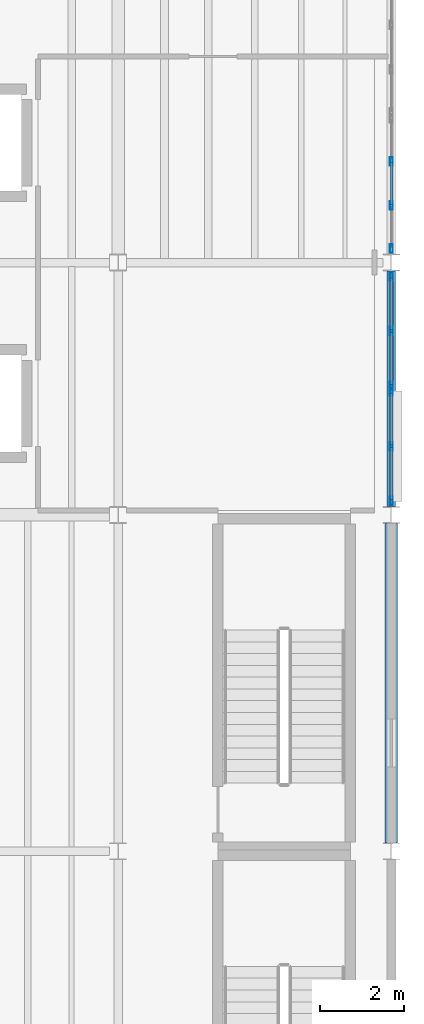
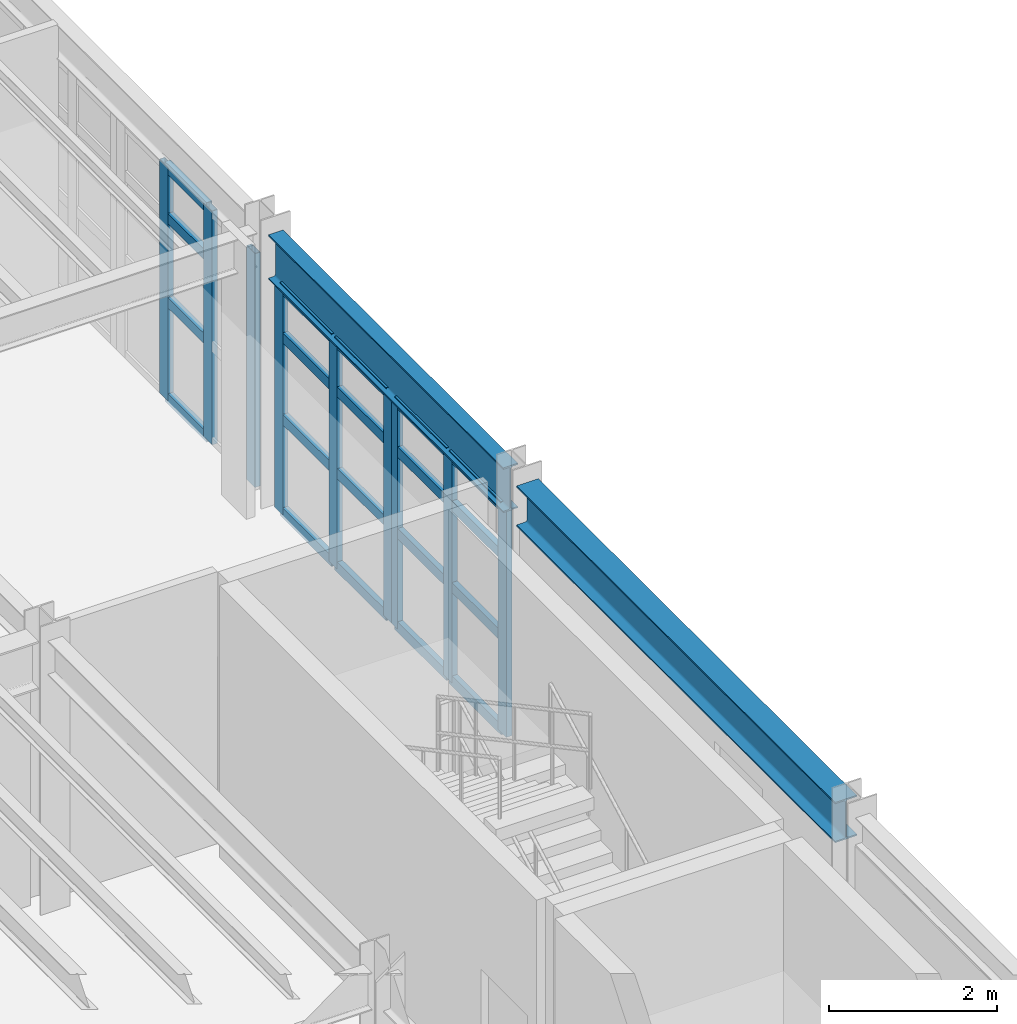
# One storey, part 40 of 78: 29 members, 2 beams, 3 elements without a shape of their own.
"""IFC4 building model written with IfcOpenShell, lengths in metres."""

from ifc_helpers import new_model, si_unit, direction, frame, origin, origin_2d, place, context, subcontext, project, spatial, hollow_rectangle, i_section, extrude, material, material_profile, profile_set, type_object, element, aggregate, save


model = new_model("IFC4")

# Units and contexts
model_context = context("Model", 3, precision=1e-05, world=origin(), true_north=direction((0.0, 1.0)))
body_context = subcontext(model_context, "Body", "Model", "MODEL_VIEW")
ifc_project = project(units=[si_unit("LENGTHUNIT", "METRE"), si_unit("AREAUNIT", "SQUARE_METRE"), si_unit("VOLUMEUNIT", "CUBIC_METRE"), si_unit("PLANEANGLEUNIT", "RADIAN"), si_unit("MASSUNIT", "GRAM", prefix="KILO"), si_unit("THERMODYNAMICTEMPERATUREUNIT", "KELVIN"), si_unit("POWERUNIT", "WATT")], contexts=[model_context])

# Site, building, storey
site_placement = place(None, origin())
site = spatial("IfcSite", under=ifc_project, at=site_placement, CompositionType="ELEMENT")
building_placement = place(site_placement, origin())
building = spatial("IfcBuilding", under=site, at=building_placement, Name="Zhenchuan Central Fire Station", CompositionType="ELEMENT")
storey_placement = place(building_placement, frame((0.0, 0.0, 5.85009765625)))
storey = spatial("IfcBuildingStorey", under=building, at=storey_placement, Name="L02", CompositionType="ELEMENT", Elevation=5.85009765625)

# Beams
ifc_material_1 = material(Name="Steel Q355B", Category="steel")
ifc_material_profile_1 = material_profile(ifc_material_1, i_section(OverallWidth=0.300048828125, OverallDepth=0.587890625, WebThickness=0.011962890625, FlangeThickness=0.02001953125, FilletRadius=0.02392578125, at=origin_2d()), Name="HM 588x300")
ifc_profile_set_1 = profile_set([ifc_material_profile_1], Name="Steel Q355B")
beam_type_1 = type_object("IfcBeamType", Name="BM-HM588-EXT", PredefinedType="BEAM", material=ifc_profile_set_1)
beam_1_placement = place(storey_placement, frame((161.0, 14.699951171875, 3.666015625), z_axis=(0.0, 1.0, 0.0), x_axis=(-1.0, 0.0, 0.0)))
element("IfcBeam", 1, at=beam_1_placement, inside=storey, type_object=beam_type_1, Name="L03 Girder NS 0341", PredefinedType="BEAM", context=body_context, shape_type="SweptSolid", body=[
    extrude(i_section(OverallWidth=0.300048828125, OverallDepth=0.587890625, WebThickness=0.011962890625, FlangeThickness=0.02001953125, FilletRadius=0.02392578125, at=origin_2d()), origin(), (0.0, 0.0, 1.0), 7.60009765625),
])
ifc_material_profile_2 = material_profile(ifc_material_1, i_section(OverallWidth=0.199951171875, OverallDepth=0.64990234375, WebThickness=0.011962890625, FlangeThickness=0.02001953125, FilletRadius=0.02197265625, at=origin_2d()), Name="HN 650x200")
ifc_profile_set_2 = profile_set([ifc_material_profile_2], Name="Steel Q355B")
beam_type_2 = type_object("IfcBeamType", Name="BM-HN650-EXT", PredefinedType="BEAM", material=ifc_profile_set_2)
beam_2_placement = place(storey_placement, frame((161.0, 22.699951171875, 3.635009765625), z_axis=(0.0, 1.0, 0.0), x_axis=(-1.0, 0.0, 0.0)))
element("IfcBeam", 2, at=beam_2_placement, inside=storey, type_object=beam_type_2, Name="L03 Girder NS 0342", PredefinedType="BEAM", context=body_context, shape_type="SweptSolid", body=[
    extrude(i_section(OverallWidth=0.199951171875, OverallDepth=0.64990234375, WebThickness=0.011962890625, FlangeThickness=0.02001953125, FilletRadius=0.02197265625, at=origin_2d()), origin(), (0.0, 0.0, 1.0), 5.60009765625),
])

# Curtain wall, members
ifc_material_2 = material(Name="Anodised aluminium and low-E glazing", Category="aluminium")
curtain_wall_type_1 = type_object("IfcCurtainWallType", Name="CW-MOD-08", PredefinedType="USERDEFINED", material=ifc_material_2)
curtain_wall_1_placement = place(storey_placement, origin())
curtain_wall_1 = element("IfcCurtainWall", 3, at=curtain_wall_1_placement, inside=storey, type_object=curtain_wall_type_1, Name="L02 Unitised Curtain Wall 090", ObjectType="UNITISED GLAZING", PredefinedType="USERDEFINED")
ifc_material_3 = material(Name="Anodised aluminium EN AW-6063", Category="aluminium")
ifc_material_profile_3 = material_profile(ifc_material_3, hollow_rectangle(XDim=0.074951171875, YDim=0.199951171875, WallThickness=0.0048828125, at=origin_2d()), Name="ALU-M 200x75")
ifc_profile_set_3 = profile_set([ifc_material_profile_3], Name="Anodised aluminium EN AW-6063")
member_type_1 = type_object("IfcMemberType", Name="CW-MUL160", PredefinedType="MULLION", material=ifc_profile_set_3)
member_1_placement = place(storey_placement, frame((161.0, 22.83251953125, -0.004150390625), z_axis=(0.0, 0.0, 1.0), x_axis=(-1.0, 0.0, 0.0)))
member_1 = element("IfcMember", 4, at=member_1_placement, type_object=member_type_1, Name="CW-08 mullion 1", PredefinedType="MULLION", context=body_context, shape_type="SweptSolid", body=[
    extrude(hollow_rectangle(XDim=0.074951171875, YDim=0.199951171875, WallThickness=0.0048828125, at=origin_2d()), origin(), (0.0, 0.0, 1.0), 3.30810546875),
])
member_2_placement = place(storey_placement, frame((161.0, 24.131103515625, -0.004150390625), z_axis=(0.0, 0.0, 1.0), x_axis=(-1.0, 0.0, 0.0)))
member_2 = element("IfcMember", 5, at=member_2_placement, type_object=member_type_1, Name="CW-08 mullion 2", PredefinedType="MULLION", context=body_context, shape_type="SweptSolid", body=[
    extrude(hollow_rectangle(XDim=0.074951171875, YDim=0.199951171875, WallThickness=0.0048828125, at=origin_2d()), origin(), (0.0, 0.0, 1.0), 3.30810546875),
])
member_3_placement = place(storey_placement, frame((161.0, 25.429443359375, -0.004150390625), z_axis=(0.0, 0.0, 1.0), x_axis=(-1.0, 0.0, 0.0)))
member_3 = element("IfcMember", 6, at=member_3_placement, type_object=member_type_1, Name="CW-08 mullion 3", PredefinedType="MULLION", context=body_context, shape_type="SweptSolid", body=[
    extrude(hollow_rectangle(XDim=0.074951171875, YDim=0.199951171875, WallThickness=0.0048828125, at=origin_2d()), origin(), (0.0, 0.0, 1.0), 3.30810546875),
])

curtain_wall_type_2 = type_object("IfcCurtainWallType", Name="CW-MOD-09", PredefinedType="USERDEFINED", material=ifc_material_2)
curtain_wall_2_placement = place(storey_placement, origin())
curtain_wall_2 = element("IfcCurtainWall", 7, at=curtain_wall_2_placement, inside=storey, type_object=curtain_wall_type_2, Name="L02 Unitised Curtain Wall 091", ObjectType="UNITISED GLAZING", PredefinedType="USERDEFINED")
member_4_placement = place(storey_placement, frame((161.0, 25.570556640625, -0.004150390625), z_axis=(0.0, 0.0, 1.0), x_axis=(-1.0, 0.0, 0.0)))
member_4 = element("IfcMember", 8, at=member_4_placement, type_object=member_type_1, Name="CW-09 mullion 1", PredefinedType="MULLION", context=body_context, shape_type="SweptSolid", body=[
    extrude(hollow_rectangle(XDim=0.074951171875, YDim=0.199951171875, WallThickness=0.0048828125, at=origin_2d()), origin(), (0.0, 0.0, 1.0), 3.30810546875),
])
member_5_placement = place(storey_placement, frame((161.0, 26.868896484375, -0.004150390625), z_axis=(0.0, 0.0, 1.0), x_axis=(-1.0, 0.0, 0.0)))
member_5 = element("IfcMember", 9, at=member_5_placement, type_object=member_type_1, Name="CW-09 mullion 2", PredefinedType="MULLION", context=body_context, shape_type="SweptSolid", body=[
    extrude(hollow_rectangle(XDim=0.074951171875, YDim=0.199951171875, WallThickness=0.0048828125, at=origin_2d()), origin(), (0.0, 0.0, 1.0), 3.30810546875),
])
member_6_placement = place(storey_placement, frame((161.0, 28.16748046875, -0.004150390625), z_axis=(0.0, 0.0, 1.0), x_axis=(-1.0, 0.0, 0.0)))
member_6 = element("IfcMember", 10, at=member_6_placement, type_object=member_type_1, Name="CW-09 mullion 3", PredefinedType="MULLION", context=body_context, shape_type="SweptSolid", body=[
    extrude(hollow_rectangle(XDim=0.074951171875, YDim=0.199951171875, WallThickness=0.0048828125, at=origin_2d()), origin(), (0.0, 0.0, 1.0), 3.30810546875),
])

curtain_wall_type_3 = type_object("IfcCurtainWallType", Name="CW-MOD-10", PredefinedType="USERDEFINED", material=ifc_material_2)
curtain_wall_3_placement = place(storey_placement, origin())
curtain_wall_3 = element("IfcCurtainWall", 11, at=curtain_wall_3_placement, inside=storey, type_object=curtain_wall_type_3, Name="L02 Unitised Curtain Wall 092", ObjectType="UNITISED GLAZING", PredefinedType="USERDEFINED")
member_7_placement = place(storey_placement, frame((161.0, 28.83251953125, -0.004150390625), z_axis=(0.0, 0.0, 1.0), x_axis=(-1.0, 0.0, 0.0)))
member_7 = element("IfcMember", 12, at=member_7_placement, type_object=member_type_1, Name="CW-10 mullion 1", PredefinedType="MULLION", context=body_context, shape_type="SweptSolid", body=[
    extrude(hollow_rectangle(XDim=0.074951171875, YDim=0.199951171875, WallThickness=0.0048828125, at=origin_2d()), origin(), (0.0, 0.0, 1.0), 3.404052734375),
])
member_8_placement = place(storey_placement, frame((161.0, 29.85400390625, -0.004150390625), z_axis=(0.0, 0.0, 1.0), x_axis=(-1.0, 0.0, 0.0)))
member_8 = element("IfcMember", 13, at=member_8_placement, type_object=member_type_1, Name="CW-10 mullion 2", PredefinedType="MULLION", context=body_context, shape_type="SweptSolid", body=[
    extrude(hollow_rectangle(XDim=0.074951171875, YDim=0.199951171875, WallThickness=0.0048828125, at=origin_2d()), origin(), (0.0, 0.0, 1.0), 3.404052734375),
])
member_9_placement = place(storey_placement, frame((161.0, 30.907958984375, -0.004150390625), z_axis=(0.0, 0.0, 1.0), x_axis=(-1.0, 0.0, 0.0)))
member_9 = element("IfcMember", 14, at=member_9_placement, type_object=member_type_1, Name="CW-10 mullion 3", PredefinedType="MULLION", context=body_context, shape_type="SweptSolid", body=[
    extrude(hollow_rectangle(XDim=0.074951171875, YDim=0.199951171875, WallThickness=0.0048828125, at=origin_2d()), origin(), (0.0, 0.0, 1.0), 3.404052734375),
])

# Member
ifc_material_profile_4 = material_profile(ifc_material_3, hollow_rectangle(XDim=0.074951171875, YDim=0.14990234375, WallThickness=0.0048828125, at=origin_2d()), Name="ALU-T 150x75")
ifc_profile_set_4 = profile_set([ifc_material_profile_4], Name="Anodised aluminium EN AW-6063")
member_type_2 = type_object("IfcMemberType", Name="CW-TRN130", PredefinedType="NOTDEFINED", material=ifc_profile_set_4)
member_10_placement = place(storey_placement, frame((161.0, 22.864990234375, 0.0283203125), z_axis=(0.0, 1.0, 0.0), x_axis=(-1.0, 0.0, 0.0)))
member_10 = element("IfcMember", 15, at=member_10_placement, type_object=member_type_2, Name="CW-08 transom 1.1", ObjectType="TRANSOM", PredefinedType="USERDEFINED", context=body_context, shape_type="SweptSolid", body=[
    extrude(hollow_rectangle(XDim=0.074951171875, YDim=0.14990234375, WallThickness=0.0048828125, at=origin_2d()), origin(), (0.0, 0.0, 1.0), 1.2333984375),
])

member_11_placement = place(storey_placement, frame((161.0, 22.864990234375, 1.3876953125), z_axis=(0.0, 1.0, 0.0), x_axis=(-1.0, 0.0, 0.0)))
member_11 = element("IfcMember", 16, at=member_11_placement, type_object=member_type_2, Name="CW-08 transom 1.2", ObjectType="TRANSOM", PredefinedType="USERDEFINED", context=body_context, shape_type="SweptSolid", body=[
    extrude(hollow_rectangle(XDim=0.074951171875, YDim=0.14990234375, WallThickness=0.0048828125, at=origin_2d()), origin(), (0.0, 0.0, 1.0), 1.2333984375),
])

member_12_placement = place(storey_placement, frame((161.0, 22.864990234375, 2.576904296875), z_axis=(0.0, 1.0, 0.0), x_axis=(-1.0, 0.0, 0.0)))
member_12 = element("IfcMember", 17, at=member_12_placement, type_object=member_type_2, Name="CW-08 transom 1.3", ObjectType="TRANSOM", PredefinedType="USERDEFINED", context=body_context, shape_type="SweptSolid", body=[
    extrude(hollow_rectangle(XDim=0.074951171875, YDim=0.14990234375, WallThickness=0.0048828125, at=origin_2d()), origin(), (0.0, 0.0, 1.0), 1.2333984375),
])

member_13_placement = place(storey_placement, frame((161.0, 22.864990234375, 3.271484375), z_axis=(0.0, 1.0, 0.0), x_axis=(-1.0, 0.0, 0.0)))
member_13 = element("IfcMember", 18, at=member_13_placement, type_object=member_type_2, Name="CW-08 transom 1.4", ObjectType="TRANSOM", PredefinedType="USERDEFINED", context=body_context, shape_type="SweptSolid", body=[
    extrude(hollow_rectangle(XDim=0.074951171875, YDim=0.14990234375, WallThickness=0.0048828125, at=origin_2d()), origin(), (0.0, 0.0, 1.0), 1.2333984375),
])

member_14_placement = place(storey_placement, frame((161.0, 24.16357421875, 0.0283203125), z_axis=(0.0, 1.0, 0.0), x_axis=(-1.0, 0.0, 0.0)))
member_14 = element("IfcMember", 19, at=member_14_placement, type_object=member_type_2, Name="CW-08 transom 2.1", ObjectType="TRANSOM", PredefinedType="USERDEFINED", context=body_context, shape_type="SweptSolid", body=[
    extrude(hollow_rectangle(XDim=0.074951171875, YDim=0.14990234375, WallThickness=0.0048828125, at=origin_2d()), origin(), (0.0, 0.0, 1.0), 1.2333984375),
])

member_15_placement = place(storey_placement, frame((161.0, 24.16357421875, 1.3876953125), z_axis=(0.0, 1.0, 0.0), x_axis=(-1.0, 0.0, 0.0)))
member_15 = element("IfcMember", 20, at=member_15_placement, type_object=member_type_2, Name="CW-08 transom 2.2", ObjectType="TRANSOM", PredefinedType="USERDEFINED", context=body_context, shape_type="SweptSolid", body=[
    extrude(hollow_rectangle(XDim=0.074951171875, YDim=0.14990234375, WallThickness=0.0048828125, at=origin_2d()), origin(), (0.0, 0.0, 1.0), 1.2333984375),
])

member_16_placement = place(storey_placement, frame((161.0, 24.16357421875, 2.576904296875), z_axis=(0.0, 1.0, 0.0), x_axis=(-1.0, 0.0, 0.0)))
member_16 = element("IfcMember", 21, at=member_16_placement, type_object=member_type_2, Name="CW-08 transom 2.3", ObjectType="TRANSOM", PredefinedType="USERDEFINED", context=body_context, shape_type="SweptSolid", body=[
    extrude(hollow_rectangle(XDim=0.074951171875, YDim=0.14990234375, WallThickness=0.0048828125, at=origin_2d()), origin(), (0.0, 0.0, 1.0), 1.2333984375),
])

member_17_placement = place(storey_placement, frame((161.0, 24.16357421875, 3.271484375), z_axis=(0.0, 1.0, 0.0), x_axis=(-1.0, 0.0, 0.0)))
member_17 = element("IfcMember", 22, at=member_17_placement, type_object=member_type_2, Name="CW-08 transom 2.4", ObjectType="TRANSOM", PredefinedType="USERDEFINED", context=body_context, shape_type="SweptSolid", body=[
    extrude(hollow_rectangle(XDim=0.074951171875, YDim=0.14990234375, WallThickness=0.0048828125, at=origin_2d()), origin(), (0.0, 0.0, 1.0), 1.2333984375),
])

aggregate(curtain_wall_1, [member_1, member_2, member_3, member_10, member_11, member_12, member_13, member_14, member_15, member_16, member_17])

member_18_placement = place(storey_placement, frame((161.0, 25.60302734375, 0.0283203125), z_axis=(0.0, 1.0, 0.0), x_axis=(-1.0, 0.0, 0.0)))
member_18 = element("IfcMember", 23, at=member_18_placement, type_object=member_type_2, Name="CW-09 transom 1.1", ObjectType="TRANSOM", PredefinedType="USERDEFINED", context=body_context, shape_type="SweptSolid", body=[
    extrude(hollow_rectangle(XDim=0.074951171875, YDim=0.14990234375, WallThickness=0.0048828125, at=origin_2d()), origin(), (0.0, 0.0, 1.0), 1.2333984375),
])

member_19_placement = place(storey_placement, frame((161.0, 25.60302734375, 1.3876953125), z_axis=(0.0, 1.0, 0.0), x_axis=(-1.0, 0.0, 0.0)))
member_19 = element("IfcMember", 24, at=member_19_placement, type_object=member_type_2, Name="CW-09 transom 1.2", ObjectType="TRANSOM", PredefinedType="USERDEFINED", context=body_context, shape_type="SweptSolid", body=[
    extrude(hollow_rectangle(XDim=0.074951171875, YDim=0.14990234375, WallThickness=0.0048828125, at=origin_2d()), origin(), (0.0, 0.0, 1.0), 1.2333984375),
])

member_20_placement = place(storey_placement, frame((161.0, 25.60302734375, 2.576904296875), z_axis=(0.0, 1.0, 0.0), x_axis=(-1.0, 0.0, 0.0)))
member_20 = element("IfcMember", 25, at=member_20_placement, type_object=member_type_2, Name="CW-09 transom 1.3", ObjectType="TRANSOM", PredefinedType="USERDEFINED", context=body_context, shape_type="SweptSolid", body=[
    extrude(hollow_rectangle(XDim=0.074951171875, YDim=0.14990234375, WallThickness=0.0048828125, at=origin_2d()), origin(), (0.0, 0.0, 1.0), 1.2333984375),
])

member_21_placement = place(storey_placement, frame((161.0, 25.60302734375, 3.271484375), z_axis=(0.0, 1.0, 0.0), x_axis=(-1.0, 0.0, 0.0)))
member_21 = element("IfcMember", 26, at=member_21_placement, type_object=member_type_2, Name="CW-09 transom 1.4", ObjectType="TRANSOM", PredefinedType="USERDEFINED", context=body_context, shape_type="SweptSolid", body=[
    extrude(hollow_rectangle(XDim=0.074951171875, YDim=0.14990234375, WallThickness=0.0048828125, at=origin_2d()), origin(), (0.0, 0.0, 1.0), 1.2333984375),
])

member_22_placement = place(storey_placement, frame((161.0, 26.901611328125, 0.0283203125), z_axis=(0.0, 1.0, 0.0), x_axis=(-1.0, 0.0, 0.0)))
member_22 = element("IfcMember", 27, at=member_22_placement, type_object=member_type_2, Name="CW-09 transom 2.1", ObjectType="TRANSOM", PredefinedType="USERDEFINED", context=body_context, shape_type="SweptSolid", body=[
    extrude(hollow_rectangle(XDim=0.074951171875, YDim=0.14990234375, WallThickness=0.0048828125, at=origin_2d()), origin(), (0.0, 0.0, 1.0), 1.2333984375),
])

member_23_placement = place(storey_placement, frame((161.0, 26.901611328125, 1.3876953125), z_axis=(0.0, 1.0, 0.0), x_axis=(-1.0, 0.0, 0.0)))
member_23 = element("IfcMember", 28, at=member_23_placement, type_object=member_type_2, Name="CW-09 transom 2.2", ObjectType="TRANSOM", PredefinedType="USERDEFINED", context=body_context, shape_type="SweptSolid", body=[
    extrude(hollow_rectangle(XDim=0.074951171875, YDim=0.14990234375, WallThickness=0.0048828125, at=origin_2d()), origin(), (0.0, 0.0, 1.0), 1.2333984375),
])

member_24_placement = place(storey_placement, frame((161.0, 26.901611328125, 2.576904296875), z_axis=(0.0, 1.0, 0.0), x_axis=(-1.0, 0.0, 0.0)))
member_24 = element("IfcMember", 29, at=member_24_placement, type_object=member_type_2, Name="CW-09 transom 2.3", ObjectType="TRANSOM", PredefinedType="USERDEFINED", context=body_context, shape_type="SweptSolid", body=[
    extrude(hollow_rectangle(XDim=0.074951171875, YDim=0.14990234375, WallThickness=0.0048828125, at=origin_2d()), origin(), (0.0, 0.0, 1.0), 1.2333984375),
])

member_25_placement = place(storey_placement, frame((161.0, 26.901611328125, 3.271484375), z_axis=(0.0, 1.0, 0.0), x_axis=(-1.0, 0.0, 0.0)))
member_25 = element("IfcMember", 30, at=member_25_placement, type_object=member_type_2, Name="CW-09 transom 2.4", ObjectType="TRANSOM", PredefinedType="USERDEFINED", context=body_context, shape_type="SweptSolid", body=[
    extrude(hollow_rectangle(XDim=0.074951171875, YDim=0.14990234375, WallThickness=0.0048828125, at=origin_2d()), origin(), (0.0, 0.0, 1.0), 1.2333984375),
])

aggregate(curtain_wall_2, [member_4, member_5, member_6, member_18, member_19, member_20, member_21, member_22, member_23, member_24, member_25])

member_26_placement = place(storey_placement, frame((161.0, 29.886474609375, 0.0283203125), z_axis=(0.0, 1.0, 0.0), x_axis=(-1.0, 0.0, 0.0)))
member_26 = element("IfcMember", 31, at=member_26_placement, type_object=member_type_2, Name="CW-10 transom 2.1", ObjectType="TRANSOM", PredefinedType="USERDEFINED", context=body_context, shape_type="SweptSolid", body=[
    extrude(hollow_rectangle(XDim=0.074951171875, YDim=0.14990234375, WallThickness=0.0048828125, at=origin_2d()), origin(), (0.0, 0.0, 1.0), 0.989013671875),
])

member_27_placement = place(storey_placement, frame((161.0, 29.886474609375, 1.427978515625), z_axis=(0.0, 1.0, 0.0), x_axis=(-1.0, 0.0, 0.0)))
member_27 = element("IfcMember", 32, at=member_27_placement, type_object=member_type_2, Name="CW-10 transom 2.2", ObjectType="TRANSOM", PredefinedType="USERDEFINED", context=body_context, shape_type="SweptSolid", body=[
    extrude(hollow_rectangle(XDim=0.074951171875, YDim=0.14990234375, WallThickness=0.0048828125, at=origin_2d()), origin(), (0.0, 0.0, 1.0), 0.989013671875),
])

member_28_placement = place(storey_placement, frame((161.0, 29.886474609375, 2.65185546875), z_axis=(0.0, 1.0, 0.0), x_axis=(-1.0, 0.0, 0.0)))
member_28 = element("IfcMember", 33, at=member_28_placement, type_object=member_type_2, Name="CW-10 transom 2.3", ObjectType="TRANSOM", PredefinedType="USERDEFINED", context=body_context, shape_type="SweptSolid", body=[
    extrude(hollow_rectangle(XDim=0.074951171875, YDim=0.14990234375, WallThickness=0.0048828125, at=origin_2d()), origin(), (0.0, 0.0, 1.0), 0.989013671875),
])

member_29_placement = place(storey_placement, frame((161.0, 29.886474609375, 3.367431640625), z_axis=(0.0, 1.0, 0.0), x_axis=(-1.0, 0.0, 0.0)))
member_29 = element("IfcMember", 34, at=member_29_placement, type_object=member_type_2, Name="CW-10 transom 2.4", ObjectType="TRANSOM", PredefinedType="USERDEFINED", context=body_context, shape_type="SweptSolid", body=[
    extrude(hollow_rectangle(XDim=0.074951171875, YDim=0.14990234375, WallThickness=0.0048828125, at=origin_2d()), origin(), (0.0, 0.0, 1.0), 0.989013671875),
])

aggregate(curtain_wall_3, [member_7, member_8, member_9, member_26, member_27, member_28, member_29])

save(model, "model.ifc")
